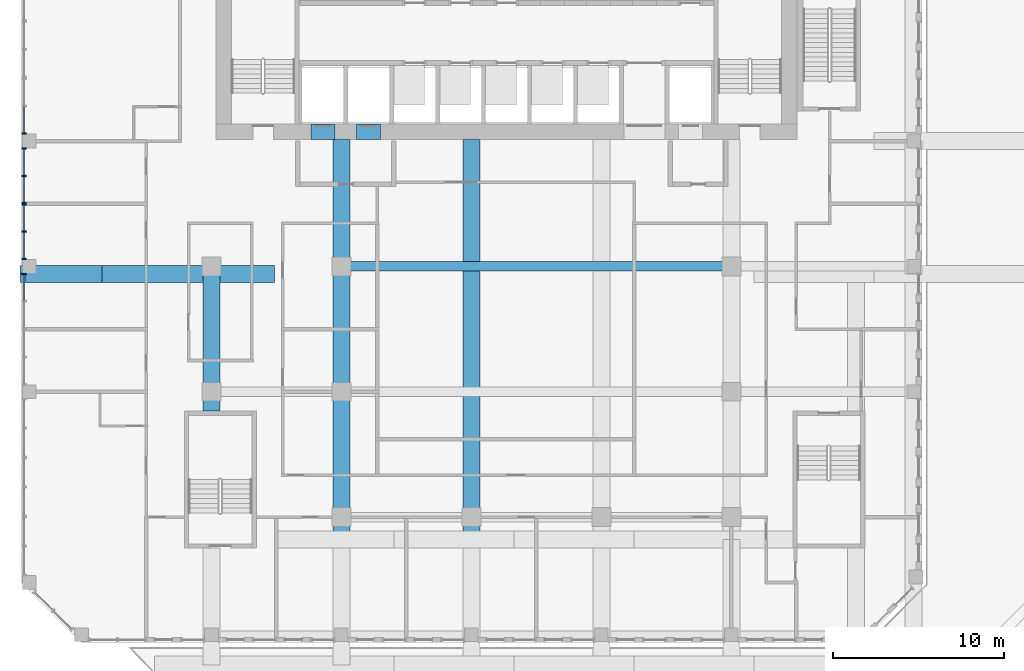
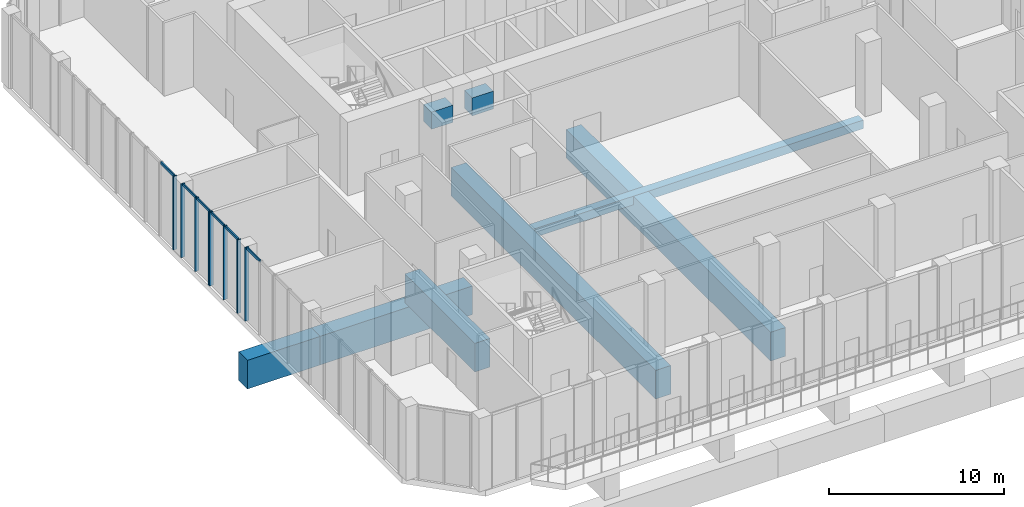
# One storey, part 3 of 19: 14 members, 8 beams, 4 elements without a shape of their own.
"""IFC4 building model written with IfcOpenShell, lengths in metres."""

from ifc_helpers import new_model, si_unit, direction, frame, origin, origin_2d, place, context, subcontext, project, spatial, rectangle, extrude, source, transform, mapped, material, material_profile, profile_set, type_object, element, aggregate, save


model = new_model("IFC4")

# Units and contexts
model_context = context("Model", 3, precision=1e-05, world=origin(), true_north=direction((0.0, 1.0)))
body_context = subcontext(model_context, "Body", "Model", "MODEL_VIEW")
ifc_project = project(units=[si_unit("LENGTHUNIT", "METRE"), si_unit("AREAUNIT", "SQUARE_METRE"), si_unit("VOLUMEUNIT", "CUBIC_METRE"), si_unit("PLANEANGLEUNIT", "RADIAN"), si_unit("MASSUNIT", "GRAM", prefix="KILO")], contexts=[model_context])

# Site, building, storey
site_placement = place(None, origin())
site = spatial("IfcSite", under=ifc_project, at=site_placement, CompositionType="ELEMENT")
building_placement = place(site_placement, origin())
building = spatial("IfcBuilding", under=site, at=building_placement, Name="Kilnfold Tower and Market Hall", CompositionType="ELEMENT")
storey_placement = place(building_placement, frame((0.0, 0.0, 138.5)))
storey = spatial("IfcBuildingStorey", under=building, at=storey_placement, Name="L31", CompositionType="ELEMENT", Elevation=138.5)

# Beams
ifc_material_1 = material(Name="Concrete C70", Category="concrete")
ifc_material_profile_1 = material_profile(ifc_material_1, rectangle(XDim=0.89990234375, YDim=1.199951171875, at=origin_2d()), Name="RC 900x1200")
ifc_profile_set_1 = profile_set([ifc_material_profile_1], Name="Concrete C70")
beam_type_1 = type_object("IfcBeamType", Name="COUPLING BEAM 900X1200 C70", PredefinedType="BEAM", material=ifc_profile_set_1)
shared_shape_1 = source(origin(), body_context, "Body", "SweptSolid", [
    extrude(rectangle(XDim=0.89990234375, YDim=1.199951171875, at=origin_2d()), origin(), (0.0, 0.0, 1.0), 1.400146484375),
])
beam_1_placement = place(storey_placement, frame((-10.3701171875, 8.550048828125, 3.300048828125), z_axis=(1.0, 0.0, 0.0), x_axis=(0.0, 1.0, 0.0)))
element("IfcBeam", 1, at=beam_1_placement, inside=storey, type_object=beam_type_1, Name="Coupling beam CB1200-70-CORE.40", PredefinedType="BEAM", context=body_context, shape_type="MappedRepresentation", body=[
    mapped(shared_shape_1, transform((0.0, 0.0, 0.0))),
])
ifc_material_2 = material(Name="Concrete C70", Category="concrete")
ifc_material_profile_2 = material_profile(ifc_material_2, rectangle(XDim=0.89990234375, YDim=1.25, at=origin_2d()), Name="RC 900x1250")
ifc_profile_set_2 = profile_set([ifc_material_profile_2], Name="Concrete C70")
beam_type_2 = type_object("IfcBeamType", Name="COUPLING BEAM 900X1250 C70", PredefinedType="BEAM", material=ifc_profile_set_2)
shared_shape_2 = source(origin(), body_context, "Body", "SweptSolid", [
    extrude(rectangle(XDim=0.89990234375, YDim=1.25, at=origin_2d()), origin(), (0.0, 0.0, 1.0), 1.39990234375),
])
beam_2_placement = place(storey_placement, frame((-7.68994140625, 8.550048828125, 3.324951171875), z_axis=(1.0, 0.0, 0.0), x_axis=(0.0, 1.0, 0.0)))
element("IfcBeam", 2, at=beam_2_placement, inside=storey, type_object=beam_type_2, Name="Coupling beam CB1250-70-CORE.42", PredefinedType="BEAM", context=body_context, shape_type="MappedRepresentation", body=[
    mapped(shared_shape_2, transform((0.0, 0.0, 0.0))),
])
ifc_material_3 = material(Name="Concrete C60", Category="concrete")
ifc_material_profile_3 = material_profile(ifc_material_3, rectangle(XDim=1.0, YDim=2.0, at=origin_2d()), Name="RC 1000x2000")
ifc_profile_set_3 = profile_set([ifc_material_profile_3], Name="Concrete C60")
beam_type_3 = type_object("IfcBeamType", Name="TRANSFER GIRDER 1000X2000 C60", PredefinedType="BEAM", material=ifc_profile_set_3)
shared_shape_3 = source(origin(), body_context, "Body", "SweptSolid", [
    extrude(rectangle(XDim=1.0, YDim=2.0, at=origin_2d()), origin(), (0.0, 0.0, 1.0), 4.78173828125),
])
beam_3_placement = place(storey_placement, frame((-27.331787109375, 0.25, -3.39990234375), z_axis=(1.0, 0.0, 0.0), x_axis=(0.0, 1.0, 0.0)))
element("IfcBeam", 3, at=beam_3_placement, inside=storey, type_object=beam_type_3, Name="Beam TG2000-B4.1", PredefinedType="BEAM", context=body_context, shape_type="MappedRepresentation", body=[
    mapped(shared_shape_3, transform((0.0, 0.0, 0.0))),
])
shared_shape_4 = source(origin(), body_context, "Body", "SweptSolid", [
    extrude(rectangle(XDim=1.0, YDim=2.0, at=origin_2d()), origin(), (0.0, 0.0, 1.0), 10.050048828125),
])
beam_4_placement = place(storey_placement, frame((-22.550048828125, 0.25, -3.39990234375), z_axis=(1.0, 0.0, 0.0), x_axis=(0.0, 1.0, 0.0)))
element("IfcBeam", 4, at=beam_4_placement, inside=storey, type_object=beam_type_3, Name="Beam TG2000-B4.2", PredefinedType="BEAM", context=body_context, shape_type="MappedRepresentation", body=[
    mapped(shared_shape_4, transform((0.0, 0.0, 0.0))),
])
shared_shape_5 = source(origin(), body_context, "Body", "SweptSolid", [
    extrude(rectangle(XDim=1.0, YDim=2.0, at=origin_2d()), origin(), (0.0, 0.0, 1.0), 8.0),
])
beam_5_placement = place(storey_placement, frame((-16.169921875, -7.75, -1.39990234375), z_axis=(0.0, 1.0, 0.0), x_axis=(-1.0, 0.0, 0.0)))
element("IfcBeam", 5, at=beam_5_placement, inside=storey, type_object=beam_type_3, Name="Beam TG2000-B4.29", PredefinedType="BEAM", context=body_context, shape_type="MappedRepresentation", body=[
    mapped(shared_shape_5, transform((0.0, 0.0, 0.0))),
])
shared_shape_6 = source(origin(), body_context, "Body", "SweptSolid", [
    extrude(rectangle(XDim=1.0, YDim=2.0, at=origin_2d()), origin(), (0.0, 0.0, 1.0), 23.35009765625),
])
for number, where, z_axis, x_axis, name in (
    (6, (-8.580078125, -15.25, -1.39990234375), (0.0, 1.0, 0.0), (-1.0, 0.0, 0.0), "Beam TG2000-B4.32"),
    (7, (-1.0, -15.25, -1.39990234375), (0.0, 1.0, 0.0), (-1.0, 0.0, 0.0), "Beam TG2000-B4.36"),
):
    element("IfcBeam", number, at=place(storey_placement, frame(where, z_axis=z_axis, x_axis=x_axis)), inside=storey, type_object=beam_type_3, Name=name, PredefinedType="BEAM", context=body_context, shape_type="MappedRepresentation", body=[
        mapped(shared_shape_6, transform((0.0, 0.0, 0.0))),
    ])
ifc_material_4 = material(Name="Concrete C45", Category="concrete")
ifc_material_profile_4 = material_profile(ifc_material_4, rectangle(XDim=0.550048828125, YDim=0.60009765625, at=origin_2d()), Name="RC 550x600")
ifc_profile_set_4 = profile_set([ifc_material_profile_4], Name="Concrete C45")
beam_type_4 = type_object("IfcBeamType", Name="BEAM 550X600 C45", PredefinedType="BEAM", material=ifc_profile_set_4)
shared_shape_7 = source(origin(), body_context, "Body", "SweptSolid", [
    extrude(rectangle(XDim=0.550048828125, YDim=0.60009765625, at=origin_2d()), origin(), (0.0, 0.0, 1.0), 21.75),
])
beam_6_placement = place(storey_placement, frame((-8.080078125, 0.68994140625, -0.699951171875), z_axis=(1.0, 0.0, 0.0), x_axis=(0.0, 1.0, 0.0)))
element("IfcBeam", 8, at=beam_6_placement, inside=storey, type_object=beam_type_4, Name="Beam BB600-B4.65", PredefinedType="BEAM", context=body_context, shape_type="MappedRepresentation", body=[
    mapped(shared_shape_7, transform((0.0, 0.0, 0.0))),
])

# Curtain wall, member
ifc_material_5 = material(Name="Aluminium and double glazing", Category="aluminium")
curtain_wall_type = type_object("IfcCurtainWallType", Name="CW SKY LOBBY GLAZING", PredefinedType="NOTDEFINED", material=ifc_material_5)
curtain_wall_1_placement = place(storey_placement, origin())
curtain_wall_1 = element("IfcCurtainWall", 9, at=curtain_wall_1_placement, inside=storey, type_object=curtain_wall_type, Name="Curtain wall CW3 L31 W", PredefinedType="NOTDEFINED")
ifc_material_6 = material(Name="Aluminium", Category="aluminium")
ifc_material_profile_5 = material_profile(ifc_material_6, rectangle(XDim=0.080078125, YDim=0.25, at=origin_2d()), Name="MULLION 80x250")
ifc_profile_set_5 = profile_set([ifc_material_profile_5], Name="Aluminium")
member_type_1 = type_object("IfcMemberType", Name="MULLION 80X250", PredefinedType="MULLION", material=ifc_profile_set_5)
shared_shape_8 = source(origin(), body_context, "Body", "SweptSolid", [
    extrude(rectangle(XDim=0.080078125, YDim=0.25, at=origin_2d()), origin(), (0.0, 0.0, 1.0), 5.1201171875),
])
member_1_placement = place(storey_placement, frame((-27.10009765625, 8.43994140625, 0.0), z_axis=(0.0, 0.0, 1.0), x_axis=(0.0, -1.0, 0.0)))
member_1 = element("IfcMember", 10, at=member_1_placement, type_object=member_type_1, Name="CW3 mullion 3", PredefinedType="MULLION", context=body_context, shape_type="MappedRepresentation", body=[
    mapped(shared_shape_8, transform((0.0, 0.0, 0.0))),
])

# Curtain wall, members
curtain_wall_2_placement = place(storey_placement, origin())
curtain_wall_2 = element("IfcCurtainWall", 11, at=curtain_wall_2_placement, inside=storey, type_object=curtain_wall_type, Name="Curtain wall CW3 L31 W", PredefinedType="NOTDEFINED")
member_2_placement = place(storey_placement, frame((-27.10009765625, 7.56005859375, 0.0), z_axis=(0.0, 0.0, 1.0), x_axis=(0.0, -1.0, 0.0)))
member_2 = element("IfcMember", 12, at=member_2_placement, type_object=member_type_1, Name="CW3 mullion 1", PredefinedType="MULLION", context=body_context, shape_type="MappedRepresentation", body=[
    mapped(shared_shape_8, transform((0.0, 0.0, 0.0))),
])
member_3_placement = place(storey_placement, frame((-27.10009765625, 5.971923828125, 0.0), z_axis=(0.0, 0.0, 1.0), x_axis=(0.0, -1.0, 0.0)))
member_3 = element("IfcMember", 13, at=member_3_placement, type_object=member_type_1, Name="CW3 mullion 2", PredefinedType="MULLION", context=body_context, shape_type="MappedRepresentation", body=[
    mapped(shared_shape_8, transform((0.0, 0.0, 0.0))),
])
member_4_placement = place(storey_placement, frame((-27.10009765625, 4.3837890625, 0.0), z_axis=(0.0, 0.0, 1.0), x_axis=(0.0, -1.0, 0.0)))
member_4 = element("IfcMember", 14, at=member_4_placement, type_object=member_type_1, Name="CW3 mullion 3", PredefinedType="MULLION", context=body_context, shape_type="MappedRepresentation", body=[
    mapped(shared_shape_8, transform((0.0, 0.0, 0.0))),
])

curtain_wall_3_placement = place(storey_placement, origin())
curtain_wall_3 = element("IfcCurtainWall", 15, at=curtain_wall_3_placement, inside=storey, type_object=curtain_wall_type, Name="Curtain wall CW3 L31 W", PredefinedType="NOTDEFINED")
member_5_placement = place(storey_placement, frame((-27.10009765625, 4.3037109375, 0.0), z_axis=(0.0, 0.0, 1.0), x_axis=(0.0, -1.0, 0.0)))
member_5 = element("IfcMember", 16, at=member_5_placement, type_object=member_type_1, Name="CW3 mullion 1", PredefinedType="MULLION", context=body_context, shape_type="MappedRepresentation", body=[
    mapped(shared_shape_8, transform((0.0, 0.0, 0.0))),
])
member_6_placement = place(storey_placement, frame((-27.10009765625, 2.715576171875, 0.0), z_axis=(0.0, 0.0, 1.0), x_axis=(0.0, -1.0, 0.0)))
member_6 = element("IfcMember", 17, at=member_6_placement, type_object=member_type_1, Name="CW3 mullion 2", PredefinedType="MULLION", context=body_context, shape_type="MappedRepresentation", body=[
    mapped(shared_shape_8, transform((0.0, 0.0, 0.0))),
])
member_7_placement = place(storey_placement, frame((-27.10009765625, 1.12744140625, 0.0), z_axis=(0.0, 0.0, 1.0), x_axis=(0.0, -1.0, 0.0)))
member_7 = element("IfcMember", 18, at=member_7_placement, type_object=member_type_1, Name="CW3 mullion 3", PredefinedType="MULLION", context=body_context, shape_type="MappedRepresentation", body=[
    mapped(shared_shape_8, transform((0.0, 0.0, 0.0))),
])

# Curtain wall, member
curtain_wall_4_placement = place(storey_placement, origin())
curtain_wall_4 = element("IfcCurtainWall", 19, at=curtain_wall_4_placement, inside=storey, type_object=curtain_wall_type, Name="Curtain wall CW3 L31 W", PredefinedType="NOTDEFINED")
member_8_placement = place(storey_placement, frame((-27.10009765625, 0.24755859375, 0.0), z_axis=(0.0, 0.0, 1.0), x_axis=(0.0, -1.0, 0.0)))
member_8 = element("IfcMember", 20, at=member_8_placement, type_object=member_type_1, Name="CW3 mullion 1", PredefinedType="MULLION", context=body_context, shape_type="MappedRepresentation", body=[
    mapped(shared_shape_8, transform((0.0, 0.0, 0.0))),
])

# Member
ifc_material_7 = material(Name="Aluminium", Category="aluminium")
ifc_material_profile_6 = material_profile(ifc_material_7, rectangle(XDim=0.080078125, YDim=0.179931640625, at=origin_2d()), Name="TRANSOM 80x180")
ifc_profile_set_6 = profile_set([ifc_material_profile_6], Name="Aluminium")
member_type_2 = type_object("IfcMemberType", Name="TRANSOM 80X180", PredefinedType="USERDEFINED", material=ifc_profile_set_6)
shared_shape_9 = source(origin(), body_context, "Body", "SweptSolid", [
    extrude(rectangle(XDim=0.080078125, YDim=0.179931640625, at=origin_2d()), origin(), (0.0, 0.0, 1.0), 1.530029296875),
])
member_9_placement = place(storey_placement, frame((-27.10009765625, 10.010009765625, 5.080078125), z_axis=(0.0, -1.0, 0.0), x_axis=(1.0, 0.0, 0.0)))
member_9 = element("IfcMember", 21, at=member_9_placement, type_object=member_type_2, Name="CW3 transom 2.2", ObjectType="TRANSOM", PredefinedType="USERDEFINED", context=body_context, shape_type="MappedRepresentation", body=[
    mapped(shared_shape_9, transform((0.0, 0.0, 0.0))),
])

aggregate(curtain_wall_1, [member_1, member_9])

shared_shape_10 = source(origin(), body_context, "Body", "SweptSolid", [
    extrude(rectangle(XDim=0.080078125, YDim=0.179931640625, at=origin_2d()), origin(), (0.0, 0.0, 1.0), 1.508056640625),
])
member_10_placement = place(storey_placement, frame((-27.10009765625, 7.52001953125, 5.080078125), z_axis=(0.0, -1.0, 0.0), x_axis=(1.0, 0.0, 0.0)))
member_10 = element("IfcMember", 22, at=member_10_placement, type_object=member_type_2, Name="CW3 transom 1.2", ObjectType="TRANSOM", PredefinedType="USERDEFINED", context=body_context, shape_type="MappedRepresentation", body=[
    mapped(shared_shape_10, transform((0.0, 0.0, 0.0))),
])

member_11_placement = place(storey_placement, frame((-27.10009765625, 5.931884765625, 5.080078125), z_axis=(0.0, -1.0, 0.0), x_axis=(1.0, 0.0, 0.0)))
member_11 = element("IfcMember", 23, at=member_11_placement, type_object=member_type_2, Name="CW3 transom 2.2", ObjectType="TRANSOM", PredefinedType="USERDEFINED", context=body_context, shape_type="MappedRepresentation", body=[
    mapped(shared_shape_10, transform((0.0, 0.0, 0.0))),
])

aggregate(curtain_wall_2, [member_2, member_3, member_4, member_10, member_11])

member_12_placement = place(storey_placement, frame((-27.10009765625, 2.675537109375, 5.080078125), z_axis=(0.0, -1.0, 0.0), x_axis=(1.0, 0.0, 0.0)))
member_12 = element("IfcMember", 24, at=member_12_placement, type_object=member_type_2, Name="CW3 transom 2.2", ObjectType="TRANSOM", PredefinedType="USERDEFINED", context=body_context, shape_type="MappedRepresentation", body=[
    mapped(shared_shape_10, transform((0.0, 0.0, 0.0))),
])

member_13_placement = place(storey_placement, frame((-27.10009765625, 0.20751953125, 5.080078125), z_axis=(0.0, -1.0, 0.0), x_axis=(1.0, 0.0, 0.0)))
member_13 = element("IfcMember", 25, at=member_13_placement, type_object=member_type_2, Name="CW3 transom 1.2", ObjectType="TRANSOM", PredefinedType="USERDEFINED", context=body_context, shape_type="MappedRepresentation", body=[
    mapped(shared_shape_10, transform((0.0, 0.0, 0.0))),
])

aggregate(curtain_wall_4, [member_8, member_13])

shared_shape_11 = source(origin(), body_context, "Body", "SweptSolid", [
    extrude(rectangle(XDim=0.080078125, YDim=0.179931640625, at=origin_2d()), origin(), (0.0, 0.0, 1.0), 1.50830078125),
])
member_14_placement = place(storey_placement, frame((-27.10009765625, 4.263916015625, 5.080078125), z_axis=(0.0, -1.0, 0.0), x_axis=(1.0, 0.0, 0.0)))
member_14 = element("IfcMember", 26, at=member_14_placement, type_object=member_type_2, Name="CW3 transom 1.2", ObjectType="TRANSOM", PredefinedType="USERDEFINED", context=body_context, shape_type="MappedRepresentation", body=[
    mapped(shared_shape_11, transform((0.0, 0.0, 0.0))),
])

aggregate(curtain_wall_3, [member_5, member_6, member_7, member_14, member_12])

save(model, "model.ifc")
